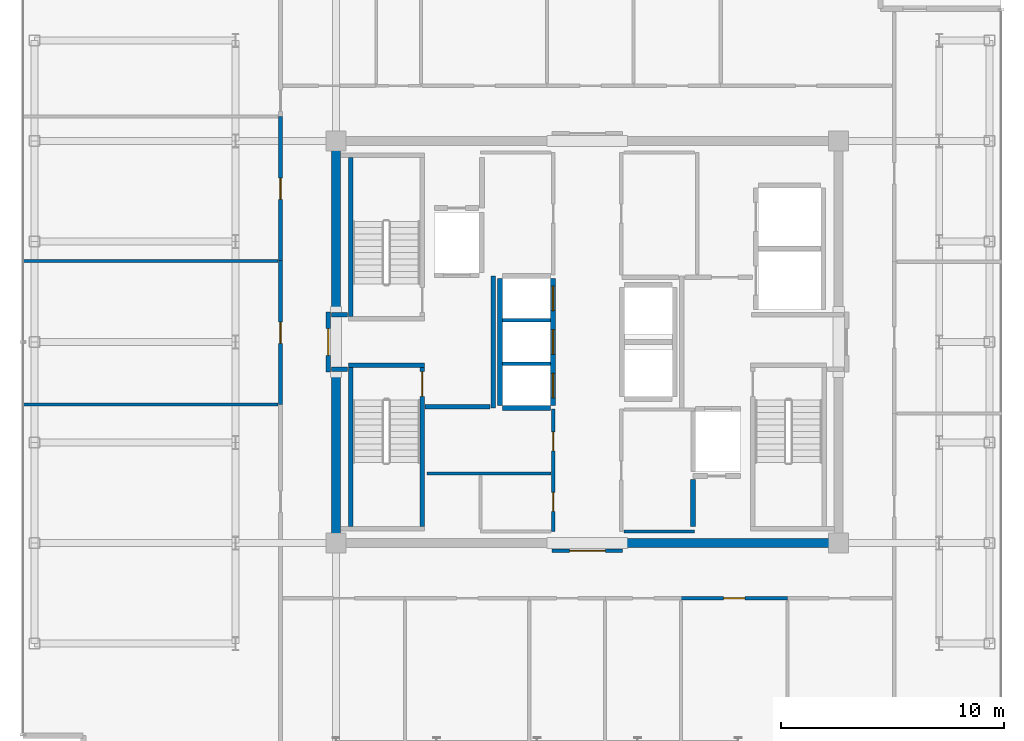
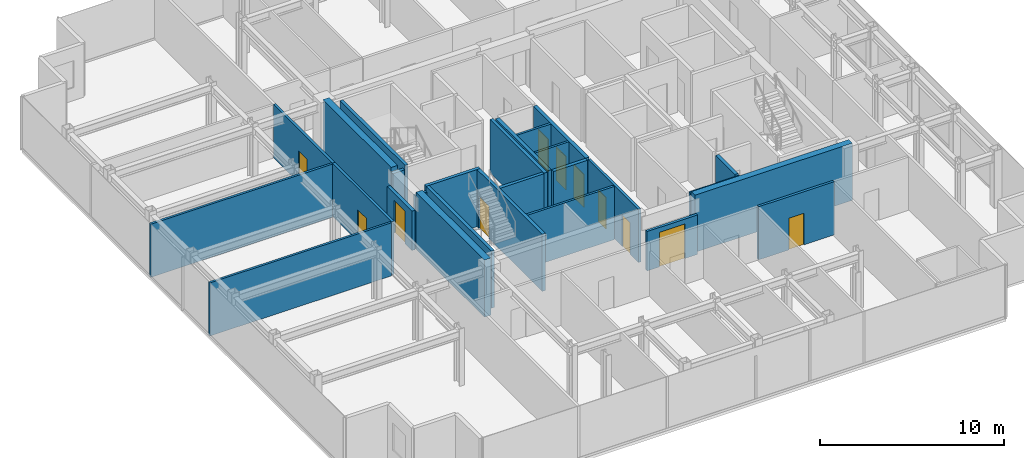
# One storey, part 12 of 17: 27 walls, 11 doors, 11 openings.
"""IFC4 building model written with IfcOpenShell, lengths in metres."""

from ifc_helpers import new_model, si_unit, direction, frame, frame_2d, origin, place, context, subcontext, project, spatial, rectangle, extrude, source, transform, mapped, material, layer, layer_set, type_object, element, fill, save


model = new_model("IFC4")

# Units and contexts
model_context = context("Model", 3, precision=1e-05, world=origin(), true_north=direction((0.0, 1.0)))
body_context = subcontext(model_context, "Body", "Model", "MODEL_VIEW")
ifc_project = project(units=[si_unit("LENGTHUNIT", "METRE"), si_unit("AREAUNIT", "SQUARE_METRE"), si_unit("VOLUMEUNIT", "CUBIC_METRE"), si_unit("PLANEANGLEUNIT", "RADIAN"), si_unit("MASSUNIT", "GRAM", prefix="KILO")], contexts=[model_context])

# Site, building, storey
site_placement = place(None, origin())
site = spatial("IfcSite", under=ifc_project, at=site_placement, CompositionType="ELEMENT")
building_placement = place(site_placement, origin())
building = spatial("IfcBuilding", under=site, at=building_placement, Name="Nefas-Gora Pilgrimage Tower", CompositionType="ELEMENT")
storey_placement = place(building_placement, frame((0.0, 0.0, 337.60009765625)))
storey = spatial("IfcBuildingStorey", under=building, at=storey_placement, Name="L85", CompositionType="ELEMENT", Elevation=337.60009765625)

# Walls
ifc_material_1 = material(Name="Concrete C50/60", Category="concrete")
ifc_layer_1 = layer(ifc_material_1, 0.39990234375)
ifc_layer_set_1 = layer_set([ifc_layer_1], Name="Concrete C50/60")
wall_type_1 = type_object("IfcWallType", Name="SW-CORE-400", PredefinedType="SHEAR", material=ifc_layer_set_1)
shared_shape_1 = source(origin(), body_context, "Body", "SweptSolid", [
    extrude(rectangle(XDim=9.89990234375, YDim=0.39990234375, at=frame_2d((4.949951171875, 0.0))), origin(), (0.0, 0.0, 1.0), 3.7998046875),
])
wall_1_placement = place(storey_placement, frame((1.550048828125, -9.0, 0.0), z_axis=(0.0, 0.0, 1.0), x_axis=(1.0, 0.0, 0.0)))
element("IfcWall", 1, at=wall_1_placement, inside=storey, type_object=wall_type_1, Name="L85 Core Shear Wall S-East", PredefinedType="SHEAR", context=body_context, shape_type="MappedRepresentation", body=[
    mapped(shared_shape_1, transform((0.0, 0.0, 0.0), x_axis=(1.0, 0.0, 0.0), y_axis=(0.0, 1.0, 0.0), z_axis=(0.0, 0.0, 1.0), scale=1.0)),
])
shared_shape_2 = source(origin(), body_context, "Body", "SweptSolid", [
    extrude(rectangle(XDim=7.449951171875, YDim=0.39990234375, at=frame_2d((3.72509765625, 0.0))), origin(), (0.0, 0.0, 1.0), 3.7998046875),
])
for number, where, z_axis, x_axis, name in (
    (2, (-11.25, -8.800048828125, 0.0), (0.0, 0.0, 1.0), (0.0, 1.0, 0.0), "L85 Core Shear Wall W-South"),
    (3, (-11.25, 1.35009765625, 0.0), (0.0, 0.0, 1.0), (0.0, 1.0, 0.0), "L85 Core Shear Wall W-North"),
):
    element("IfcWall", number, at=place(storey_placement, frame(where, z_axis=z_axis, x_axis=x_axis)), inside=storey, type_object=wall_type_1, Name=name, PredefinedType="SHEAR", context=body_context, shape_type="MappedRepresentation", body=[
        mapped(shared_shape_2, transform((0.0, 0.0, 0.0), x_axis=(1.0, 0.0, 0.0), y_axis=(0.0, 1.0, 0.0), z_axis=(0.0, 0.0, 1.0), scale=1.0)),
    ])
ifc_material_2 = material(Name="Concrete C45/55", Category="concrete")
ifc_layer_2 = layer(ifc_material_2, 0.199951171875)
ifc_layer_set_2 = layer_set([ifc_layer_2], Name="Concrete C45/55")
wall_type_2 = type_object("IfcWallType", Name="IW-STAIR-200", PredefinedType="SOLIDWALL", material=ifc_layer_set_2)
shared_shape_3 = source(origin(), body_context, "Body", "SweptSolid", [
    extrude(rectangle(XDim=3.39990234375, YDim=0.199951171875, at=frame_2d((1.699951171875, 0.0))), origin(), (0.0, 0.0, 1.0), 3.7998046875),
])
wall_2_placement = place(storey_placement, frame((-10.699951171875, -1.050048828125, 0.0), z_axis=(0.0, 0.0, 1.0), x_axis=(1.0, 0.0, 0.0)))
element("IfcWall", 4, at=wall_2_placement, inside=storey, type_object=wall_type_2, Name="L85 Stairwell Shear Wall ST-03-near", PredefinedType="SOLIDWALL", context=body_context, shape_type="MappedRepresentation", body=[
    mapped(shared_shape_3, transform((0.0, 0.0, 0.0), x_axis=(1.0, 0.0, 0.0), y_axis=(0.0, 1.0, 0.0), z_axis=(0.0, 0.0, 1.0), scale=1.0)),
])
shared_shape_4 = source(origin(), body_context, "Body", "SweptSolid", [
    extrude(rectangle(XDim=7.10009765625, YDim=0.199951171875, at=frame_2d((3.550048828125, 0.0))), origin(), (0.0, 0.0, 1.0), 3.7998046875),
])
for number, where, z_axis, x_axis, name in (
    (5, (-10.60009765625, 1.14990234375, 0.0), (0.0, 0.0, 1.0), (0.0, 1.0, 0.0), "L85 Stairwell Shear Wall ST-01-right"),
    (6, (-10.60009765625, -1.14990234375, 0.0), (0.0, 0.0, 1.0), (0.0, -1.0, 0.0), "L85 Stairwell Shear Wall ST-03-left"),
):
    element("IfcWall", number, at=place(storey_placement, frame(where, z_axis=z_axis, x_axis=x_axis)), inside=storey, type_object=wall_type_2, Name=name, PredefinedType="SOLIDWALL", context=body_context, shape_type="MappedRepresentation", body=[
        mapped(shared_shape_4, transform((0.0, 0.0, 0.0), x_axis=(1.0, 0.0, 0.0), y_axis=(0.0, 1.0, 0.0), z_axis=(0.0, 0.0, 1.0), scale=1.0)),
    ])

# Wall, opening, door
wall_3_placement = place(storey_placement, frame((-7.39990234375, -1.14990234375, 0.0), z_axis=(0.0, 0.0, 1.0), x_axis=(0.0, -1.0, 0.0)))
wall_3 = element("IfcWall", 7, at=wall_3_placement, inside=storey, type_object=wall_type_2, Name="L85 Stairwell Shear Wall ST-03-right", PredefinedType="SOLIDWALL", context=body_context, shape_type="MappedRepresentation", body=[
    mapped(shared_shape_4, transform((0.0, 0.0, 0.0), x_axis=(1.0, 0.0, 0.0), y_axis=(0.0, 1.0, 0.0), z_axis=(0.0, 0.0, 1.0), scale=1.0)),
])
opening_1_placement = place(wall_3_placement, frame((0.179931640625, 0.0, 0.0)))
opening_1 = element("IfcOpeningElement", 8, at=opening_1_placement, cuts=wall_3, Name="Opening ID-ST1", PredefinedType="OPENING", context=body_context, shape_type="SweptSolid", body=[
    extrude(rectangle(XDim=1.10009765625, YDim=2.14990234375, at=frame_2d((0.550048828125, 1.074951171875))), frame((0.0, 0.10986328125, 0.0), z_axis=(0.0, -1.0, 0.0), x_axis=(1.0, 0.0, 0.0)), (0.0, 0.0, 1.0), 0.219970703125),
])
ifc_material_3 = material(Name="Painted galvanised steel fire stair door", Category="steel")
door_type_1 = type_object("IfcDoorType", Name="DR-INT-STAIR-1100", OperationType="NOTDEFINED", PredefinedType="DOOR", material=ifc_material_3)
shared_shape_5 = source(origin(), body_context, "Body", "SweptSolid", [
    extrude(rectangle(XDim=1.10009765625, YDim=2.14990234375, at=frame_2d((0.550048828125, 1.074951171875))), frame((0.0, 0.02490234375, 0.0), z_axis=(0.0, -1.0, 0.0), x_axis=(1.0, 0.0, 0.0)), (0.0, 0.0, 1.0), 0.050048828125),
])
door_1_placement = place(opening_1_placement, origin())
door_1 = element("IfcDoor", 9, at=door_1_placement, inside=storey, type_object=door_type_1, Name="L85 Protected Exit Stair Door ST-03", OperationType="SINGLE_SWING_LEFT", OverallHeight=2.14990234375, OverallWidth=1.10009765625, PredefinedType="DOOR", context=body_context, shape_type="MappedRepresentation", body=[
    mapped(shared_shape_5, transform((0.0, 0.0, 0.0), x_axis=(1.0, 0.0, 0.0), y_axis=(0.0, 1.0, 0.0), z_axis=(0.0, 0.0, 1.0), scale=1.0)),
])
fill(opening_1, door_1)

# Wall, openings, doors
ifc_material_4 = material(Name="Concrete C40/50", Category="concrete")
ifc_layer_3 = layer(ifc_material_4, 0.219970703125)
ifc_layer_set_3 = layer_set([ifc_layer_3], Name="Concrete C40/50")
wall_type_3 = type_object("IfcWallType", Name="IW-SHAFT-220", PredefinedType="SOLIDWALL", material=ifc_layer_set_3)
shared_shape_6 = source(origin(), body_context, "Body", "SweptSolid", [
    extrude(rectangle(XDim=5.7001953125, YDim=0.219970703125, at=frame_2d((2.85009765625, 0.0))), origin(), (0.0, 0.0, 1.0), 3.534912109375),
])
wall_4_placement = place(storey_placement, frame((-1.5400390625, -2.85009765625, 0.0), z_axis=(0.0, 0.0, 1.0), x_axis=(0.0, 1.0, 0.0)))
wall_4 = element("IfcWall", 10, at=wall_4_placement, inside=storey, type_object=wall_type_3, Name="L85 Hoistway Wall PL3-01-03-E", PredefinedType="SOLIDWALL", context=body_context, shape_type="MappedRepresentation", body=[
    mapped(shared_shape_6, transform((0.0, 0.0, 0.0), x_axis=(1.0, 0.0, 0.0), y_axis=(0.0, 1.0, 0.0), z_axis=(0.0, 0.0, 1.0), scale=1.0)),
])
opening_2_placement = place(wall_4_placement, frame((0.35009765625, 0.0, 0.0)))
opening_2 = element("IfcOpeningElement", 11, at=opening_2_placement, cuts=wall_4, Name="Opening LD-01", PredefinedType="OPENING", context=body_context, shape_type="SweptSolid", body=[
    extrude(rectangle(XDim=1.10009765625, YDim=2.199951171875, at=frame_2d((0.550048828125, 1.10009765625))), frame((0.0, 0.119873046875, 0.0), z_axis=(0.0, -1.0, 0.0), x_axis=(1.0, 0.0, 0.0)), (0.0, 0.0, 1.0), 0.239990234375),
])
opening_3_placement = place(wall_4_placement, frame((2.300048828125, 0.0, 0.0)))
opening_3 = element("IfcOpeningElement", 12, at=opening_3_placement, cuts=wall_4, Name="Opening LD-01", PredefinedType="OPENING", context=body_context, shape_type="SweptSolid", body=[
    extrude(rectangle(XDim=1.10009765625, YDim=2.199951171875, at=frame_2d((0.550048828125, 1.10009765625))), frame((0.0, 0.119873046875, 0.0), z_axis=(0.0, -1.0, 0.0), x_axis=(1.0, 0.0, 0.0)), (0.0, 0.0, 1.0), 0.239990234375),
])
opening_4_placement = place(wall_4_placement, frame((4.25, 0.0, 0.0)))
opening_4 = element("IfcOpeningElement", 13, at=opening_4_placement, cuts=wall_4, Name="Opening LD-01", PredefinedType="OPENING", context=body_context, shape_type="SweptSolid", body=[
    extrude(rectangle(XDim=1.10009765625, YDim=2.199951171875, at=frame_2d((0.550048828125, 1.10009765625))), frame((0.0, 0.119873046875, 0.0), z_axis=(0.0, -1.0, 0.0), x_axis=(1.0, 0.0, 0.0)), (0.0, 0.0, 1.0), 0.239990234375),
])
ifc_material_5 = material(Name="Brushed stainless sliding lift landing door")
door_type_2 = type_object("IfcDoorType", Name="DR-LIFT-PASS-1100", OperationType="DOUBLE_DOOR_SLIDING", PredefinedType="DOOR", material=ifc_material_5)
shared_shape_7 = source(origin(), body_context, "Body", "SweptSolid", [
    extrude(rectangle(XDim=1.10009765625, YDim=2.199951171875, at=frame_2d((0.550048828125, 1.10009765625))), frame((0.0, 0.02490234375, 0.0), z_axis=(0.0, -1.0, 0.0), x_axis=(1.0, 0.0, 0.0)), (0.0, 0.0, 1.0), 0.050048828125),
])
door_2_placement = place(opening_2_placement, origin())
door_2 = element("IfcDoor", 14, at=door_2_placement, inside=storey, type_object=door_type_2, Name="L85 Sliding Lift Landing Door PL3-01", OperationType="DOUBLE_DOOR_SLIDING", OverallHeight=2.199951171875, OverallWidth=1.10009765625, PredefinedType="DOOR", context=body_context, shape_type="MappedRepresentation", body=[
    mapped(shared_shape_7, transform((0.0, 0.0, 0.0), x_axis=(1.0, 0.0, 0.0), y_axis=(0.0, 1.0, 0.0), z_axis=(0.0, 0.0, 1.0), scale=1.0)),
])
fill(opening_2, door_2)
door_3_placement = place(opening_3_placement, origin())
door_3 = element("IfcDoor", 15, at=door_3_placement, inside=storey, type_object=door_type_2, Name="L85 Sliding Lift Landing Door PL3-02", OperationType="DOUBLE_DOOR_SLIDING", OverallHeight=2.199951171875, OverallWidth=1.10009765625, PredefinedType="DOOR", context=body_context, shape_type="MappedRepresentation", body=[
    mapped(shared_shape_7, transform((0.0, 0.0, 0.0), x_axis=(1.0, 0.0, 0.0), y_axis=(0.0, 1.0, 0.0), z_axis=(0.0, 0.0, 1.0), scale=1.0)),
])
fill(opening_3, door_3)
door_4_placement = place(opening_4_placement, origin())
door_4 = element("IfcDoor", 16, at=door_4_placement, inside=storey, type_object=door_type_2, Name="L85 Sliding Lift Landing Door PL3-03", OperationType="DOUBLE_DOOR_SLIDING", OverallHeight=2.199951171875, OverallWidth=1.10009765625, PredefinedType="DOOR", context=body_context, shape_type="MappedRepresentation", body=[
    mapped(shared_shape_7, transform((0.0, 0.0, 0.0), x_axis=(1.0, 0.0, 0.0), y_axis=(0.0, 1.0, 0.0), z_axis=(0.0, 0.0, 1.0), scale=1.0)),
])
fill(opening_4, door_4)

# Walls
wall_5_placement = place(storey_placement, frame((-3.909912109375, 2.85009765625, 0.0), z_axis=(0.0, 0.0, 1.0), x_axis=(0.0, -1.0, 0.0)))
element("IfcWall", 17, at=wall_5_placement, inside=storey, type_object=wall_type_3, Name="L85 Hoistway Wall PL3-01-03-W", PredefinedType="SOLIDWALL", context=body_context, shape_type="MappedRepresentation", body=[
    mapped(shared_shape_6, transform((0.0, 0.0, 0.0), x_axis=(1.0, 0.0, 0.0), y_axis=(0.0, 1.0, 0.0), z_axis=(0.0, 0.0, 1.0), scale=1.0)),
])
shared_shape_8 = source(origin(), body_context, "Body", "SweptSolid", [
    extrude(rectangle(XDim=2.130126953125, YDim=0.219970703125, at=frame_2d((1.06494140625, 0.0))), origin(), (0.0, 0.0, 1.0), 3.534912109375),
])
wall_6_placement = place(storey_placement, frame((-3.7900390625, -2.9599609375, 0.0), z_axis=(0.0, 0.0, 1.0), x_axis=(1.0, 0.0, 0.0)))
element("IfcWall", 18, at=wall_6_placement, inside=storey, type_object=wall_type_3, Name="L85 Hoistway Wall PL3-01-S", PredefinedType="SOLIDWALL", context=body_context, shape_type="MappedRepresentation", body=[
    mapped(shared_shape_8, transform((0.0, 0.0, 0.0), x_axis=(1.0, 0.0, 0.0), y_axis=(0.0, 1.0, 0.0), z_axis=(0.0, 0.0, 1.0), scale=1.0)),
])
ifc_material_6 = material(Name="Gypsum twin-stud partition")
ifc_layer_4 = layer(ifc_material_6, 0.139892578125)
ifc_layer_set_4 = layer_set([ifc_layer_4], Name="Gypsum twin-stud partition")
wall_type_4 = type_object("IfcWallType", Name="IW-UNIT-140", PredefinedType="PARTITIONING", material=ifc_layer_set_4)
shared_shape_9 = source(origin(), body_context, "Body", "SweptSolid", [
    extrude(rectangle(XDim=2.130126953125, YDim=0.139892578125, at=frame_2d((1.06494140625, 0.0))), origin(), (0.0, 0.0, 1.0), 3.534912109375),
])
for number, where, z_axis, x_axis, name in (
    (19, (-3.7900390625, -0.97509765625, 0.0), (0.0, 0.0, 1.0), (1.0, 0.0, 0.0), "L85 Hoistway Wall PL3-01-02-DIV"),
    (20, (-3.7900390625, 0.97509765625, 0.0), (0.0, 0.0, 1.0), (1.0, 0.0, 0.0), "L85 Hoistway Wall PL3-02-03-DIV"),
):
    element("IfcWall", number, at=place(storey_placement, frame(where, z_axis=z_axis, x_axis=x_axis)), inside=storey, type_object=wall_type_4, Name=name, PredefinedType="PARTITIONING", context=body_context, shape_type="MappedRepresentation", body=[
        mapped(shared_shape_9, transform((0.0, 0.0, 0.0), x_axis=(1.0, 0.0, 0.0), y_axis=(0.0, 1.0, 0.0), z_axis=(0.0, 0.0, 1.0), scale=1.0)),
    ])
ifc_material_7 = material(Name="Gypsum fire-rated shaftwall")
ifc_layer_5 = layer(ifc_material_7, 0.199951171875)
ifc_layer_set_5 = layer_set([ifc_layer_5], Name="Gypsum fire-rated shaftwall")
wall_type_5 = type_object("IfcWallType", Name="IW-FFLOB-200", PredefinedType="PARTITIONING", material=ifc_layer_set_5)
shared_shape_10 = source(origin(), body_context, "Body", "SweptSolid", [
    extrude(rectangle(XDim=5.89990234375, YDim=0.199951171875, at=frame_2d((2.949951171875, 0.0))), origin(), (0.0, 0.0, 1.0), 3.534912109375),
])
wall_7_placement = place(storey_placement, frame((-4.219970703125, -2.949951171875, 0.0), z_axis=(0.0, 0.0, 1.0), x_axis=(0.0, 1.0, 0.0)))
element("IfcWall", 21, at=wall_7_placement, inside=storey, type_object=wall_type_5, Name="L85 FF Lobby West Inner Wall Wall 6", PredefinedType="PARTITIONING", context=body_context, shape_type="MappedRepresentation", body=[
    mapped(shared_shape_10, transform((0.0, 0.0, 0.0), x_axis=(1.0, 0.0, 0.0), y_axis=(0.0, 1.0, 0.0), z_axis=(0.0, 0.0, 1.0), scale=1.0)),
])
shared_shape_11 = source(origin(), body_context, "Body", "SweptSolid", [
    extrude(rectangle(XDim=2.89990234375, YDim=0.199951171875, at=frame_2d((1.449951171875, 0.0))), origin(), (0.0, 0.0, 1.0), 3.534912109375),
])
wall_8_placement = place(storey_placement, frame((-7.260009765625, -2.89990234375, 0.0), z_axis=(0.0, 0.0, 1.0), x_axis=(1.0, 0.0, 0.0)))
element("IfcWall", 22, at=wall_8_placement, inside=storey, type_object=wall_type_5, Name="L85 FF Lobby West South Wall Wall 7", PredefinedType="PARTITIONING", context=body_context, shape_type="MappedRepresentation", body=[
    mapped(shared_shape_11, transform((0.0, 0.0, 0.0), x_axis=(1.0, 0.0, 0.0), y_axis=(0.0, 1.0, 0.0), z_axis=(0.0, 0.0, 1.0), scale=1.0)),
])
shared_shape_12 = source(origin(), body_context, "Body", "SweptSolid", [
    extrude(rectangle(XDim=0.719970703125, YDim=0.199951171875, at=frame_2d((0.35986328125, 0.0))), origin(), (0.0, 0.0, 1.0), 3.534912109375),
])
for number, where, z_axis, x_axis, name in (
    (23, (-11.4599609375, 1.219970703125, 0.0), (0.0, 0.0, 1.0), (1.0, 0.0, 0.0), "L85 FF Lobby West Throat N Wall 8"),
    (24, (-11.4599609375, -1.219970703125, 0.0), (0.0, 0.0, 1.0), (1.0, 0.0, 0.0), "L85 FF Lobby West Throat S Wall 9"),
):
    element("IfcWall", number, at=place(storey_placement, frame(where, z_axis=z_axis, x_axis=x_axis)), inside=storey, type_object=wall_type_5, Name=name, PredefinedType="PARTITIONING", context=body_context, shape_type="MappedRepresentation", body=[
        mapped(shared_shape_12, transform((0.0, 0.0, 0.0), x_axis=(1.0, 0.0, 0.0), y_axis=(0.0, 1.0, 0.0), z_axis=(0.0, 0.0, 1.0), scale=1.0)),
    ])
shared_shape_13 = source(origin(), body_context, "Body", "SweptSolid", [
    extrude(rectangle(XDim=3.150146484375, YDim=0.139892578125, at=frame_2d((1.5751953125, 0.0))), origin(), (0.0, 0.0, 1.0), 3.534912109375),
])
wall_9_placement = place(storey_placement, frame((1.639892578125, -8.47998046875, 0.0), z_axis=(0.0, 0.0, 1.0), x_axis=(1.0, 0.0, 0.0)))
element("IfcWall", 25, at=wall_9_placement, inside=storey, type_object=wall_type_4, Name="L85 Freed Bank-2 East Linen Store Partition Wall 33", PredefinedType="PARTITIONING", context=body_context, shape_type="MappedRepresentation", body=[
    mapped(shared_shape_13, transform((0.0, 0.0, 0.0), x_axis=(1.0, 0.0, 0.0), y_axis=(0.0, 1.0, 0.0), z_axis=(0.0, 0.0, 1.0), scale=1.0)),
])

# Wall, opening, door
ifc_material_8 = material(Name="Gypsum acoustic stud partition")
ifc_layer_6 = layer(ifc_material_8, 0.159912109375)
ifc_layer_set_6 = layer_set([ifc_layer_6], Name="Gypsum acoustic stud partition")
wall_type_6 = type_object("IfcWallType", Name="IW-CORR-160", PredefinedType="PARTITIONING", material=ifc_layer_set_6)
shared_shape_14 = source(origin(), body_context, "Body", "SweptSolid", [
    extrude(rectangle(XDim=4.764892578125, YDim=0.159912109375, at=frame_2d((2.38232421875, 0.0))), origin(), (0.0, 0.0, 1.0), 3.534912109375),
])
wall_10_placement = place(storey_placement, frame((4.195068359375, -11.469970703125, 0.0), z_axis=(0.0, 0.0, 1.0), x_axis=(1.0, 0.0, 0.0)))
wall_10 = element("IfcWall", 26, at=wall_10_placement, inside=storey, type_object=wall_type_6, Name="L85 Pilgrim Contemplative Lounge Partition Wall 65", PredefinedType="PARTITIONING", context=body_context, shape_type="MappedRepresentation", body=[
    mapped(shared_shape_14, transform((0.0, 0.0, 0.0), x_axis=(1.0, 0.0, 0.0), y_axis=(0.0, 1.0, 0.0), z_axis=(0.0, 0.0, 1.0), scale=1.0)),
])
opening_5_placement = place(wall_10_placement, frame((1.907470703125, 0.0, 0.0)))
opening_5 = element("IfcOpeningElement", 27, at=opening_5_placement, cuts=wall_10, Name="Opening ID-GR1", PredefinedType="OPENING", context=body_context, shape_type="SweptSolid", body=[
    extrude(rectangle(XDim=0.949951171875, YDim=2.10009765625, at=frame_2d((0.47509765625, 1.050048828125))), frame((0.0, 0.08984375, 0.0), z_axis=(0.0, -1.0, 0.0), x_axis=(1.0, 0.0, 0.0)), (0.0, 0.0, 1.0), 0.179931640625),
])
ifc_material_9 = material(Name="Solid core oak fire-rated guest entrance door")
door_type_3 = type_object("IfcDoorType", Name="DR-INT-GUEST-950", OperationType="NOTDEFINED", PredefinedType="DOOR", material=ifc_material_9)
shared_shape_15 = source(origin(), body_context, "Body", "SweptSolid", [
    extrude(rectangle(XDim=0.949951171875, YDim=2.10009765625, at=frame_2d((0.47509765625, 1.050048828125))), frame((0.0, 0.02490234375, 0.0), z_axis=(0.0, -1.0, 0.0), x_axis=(1.0, 0.0, 0.0)), (0.0, 0.0, 1.0), 0.050048828125),
])
door_5_placement = place(opening_5_placement, origin())
door_5 = element("IfcDoor", 28, at=door_5_placement, inside=storey, type_object=door_type_3, Name="L85 Pilgrim Contemplative Lounge Door 31", OperationType="SINGLE_SWING_LEFT", OverallHeight=2.10009765625, OverallWidth=0.949951171875, PredefinedType="DOOR", context=body_context, shape_type="MappedRepresentation", body=[
    mapped(shared_shape_15, transform((0.0, 0.0, 0.0), x_axis=(1.0, 0.0, 0.0), y_axis=(0.0, 1.0, 0.0), z_axis=(0.0, 0.0, 1.0), scale=1.0)),
])
fill(opening_5, door_5)

# Walls
shared_shape_16 = source(origin(), body_context, "Body", "SweptSolid", [
    extrude(rectangle(XDim=11.429931640625, YDim=0.139892578125, at=frame_2d((5.71484375, 0.0))), origin(), (0.0, 0.0, 1.0), 3.534912109375),
])
for number, where, z_axis, x_axis, name in (
    (29, (-25.2900390625, -2.804931640625, 0.0), (0.0, 0.0, 1.0), (1.0, 0.0, 0.0), "L85 Pilgrim Floor Concierge Foyer Partition Wall 38"),
    (30, (-25.2900390625, 3.63134765625, 0.0), (0.0, 0.0, 1.0), (1.0, 0.0, 0.0), "L85 Pilgrim Floor Concierge Foyer Partition Wall 42"),
):
    element("IfcWall", number, at=place(storey_placement, frame(where, z_axis=z_axis, x_axis=x_axis)), inside=storey, type_object=wall_type_4, Name=name, PredefinedType="PARTITIONING", context=body_context, shape_type="MappedRepresentation", body=[
        mapped(shared_shape_16, transform((0.0, 0.0, 0.0), x_axis=(1.0, 0.0, 0.0), y_axis=(0.0, 1.0, 0.0), z_axis=(0.0, 0.0, 1.0), scale=1.0)),
    ])

# Wall, openings, doors
shared_shape_17 = source(origin(), body_context, "Body", "SweptSolid", [
    extrude(rectangle(XDim=5.47998046875, YDim=0.159912109375, at=frame_2d((2.739990234375, 0.0))), origin(), (0.0, 0.0, 1.0), 3.534912109375),
])
wall_11_placement = place(storey_placement, frame((-1.52001953125, -8.489990234375, 0.0), z_axis=(0.0, 0.0, 1.0), x_axis=(0.0, 1.0, 0.0)))
wall_11 = element("IfcWall", 31, at=wall_11_placement, inside=storey, type_object=wall_type_6, Name="L85 Pilgrim Baggage and Gear Vault Wall 25", PredefinedType="PARTITIONING", context=body_context, shape_type="MappedRepresentation", body=[
    mapped(shared_shape_17, transform((0.0, 0.0, 0.0), x_axis=(1.0, 0.0, 0.0), y_axis=(0.0, 1.0, 0.0), z_axis=(0.0, 0.0, 1.0), scale=1.0)),
])
opening_6_placement = place(wall_11_placement, frame((0.907470703125, 0.0, 0.0)))
opening_6 = element("IfcOpeningElement", 32, at=opening_6_placement, cuts=wall_11, Name="Opening ID-BT1", PredefinedType="OPENING", context=body_context, shape_type="SweptSolid", body=[
    extrude(rectangle(XDim=0.85009765625, YDim=2.10009765625, at=frame_2d((0.425048828125, 1.050048828125))), frame((0.0, 0.08984375, 0.0), z_axis=(0.0, -1.0, 0.0), x_axis=(1.0, 0.0, 0.0)), (0.0, 0.0, 1.0), 0.179931640625),
])
opening_7_placement = place(wall_11_placement, frame((3.614990234375, 0.0, 0.0)))
opening_7 = element("IfcOpeningElement", 33, at=opening_7_placement, cuts=wall_11, Name="Opening ID-BT1", PredefinedType="OPENING", context=body_context, shape_type="SweptSolid", body=[
    extrude(rectangle(XDim=0.85009765625, YDim=2.10009765625, at=frame_2d((0.425048828125, 1.050048828125))), frame((0.0, 0.08984375, 0.0), z_axis=(0.0, -1.0, 0.0), x_axis=(1.0, 0.0, 0.0)), (0.0, 0.0, 1.0), 0.179931640625),
])
ifc_material_10 = material(Name="Moisture-resistant fire-rated timber door", Category="wood")
door_type_4 = type_object("IfcDoorType", Name="DR-INT-BATH-850", OperationType="NOTDEFINED", PredefinedType="DOOR", material=ifc_material_10)
shared_shape_18 = source(origin(), body_context, "Body", "SweptSolid", [
    extrude(rectangle(XDim=0.85009765625, YDim=2.10009765625, at=frame_2d((0.425048828125, 1.050048828125))), frame((0.0, 0.02490234375, 0.0), z_axis=(0.0, -1.0, 0.0), x_axis=(1.0, 0.0, 0.0)), (0.0, 0.0, 1.0), 0.050048828125),
])
door_6_placement = place(opening_6_placement, origin())
door_6 = element("IfcDoor", 34, at=door_6_placement, inside=storey, type_object=door_type_4, Name="L85 Freed Bank-2 West Supply Vault Door 10", OperationType="SINGLE_SWING_RIGHT", OverallHeight=2.10009765625, OverallWidth=0.85009765625, PredefinedType="DOOR", context=body_context, shape_type="MappedRepresentation", body=[
    mapped(shared_shape_18, transform((0.0, 0.0, 0.0), x_axis=(1.0, 0.0, 0.0), y_axis=(0.0, 1.0, 0.0), z_axis=(0.0, 0.0, 1.0), scale=1.0)),
])
fill(opening_6, door_6)
door_7_placement = place(opening_7_placement, origin())
door_7 = element("IfcDoor", 35, at=door_7_placement, inside=storey, type_object=door_type_4, Name="L85 Pilgrim Baggage and Gear Vault Door 11", OperationType="SINGLE_SWING_LEFT", OverallHeight=2.10009765625, OverallWidth=0.85009765625, PredefinedType="DOOR", context=body_context, shape_type="MappedRepresentation", body=[
    mapped(shared_shape_18, transform((0.0, 0.0, 0.0), x_axis=(1.0, 0.0, 0.0), y_axis=(0.0, 1.0, 0.0), z_axis=(0.0, 0.0, 1.0), scale=1.0)),
])
fill(opening_7, door_7)

# Wall, opening, door
shared_shape_19 = source(origin(), body_context, "Body", "SweptSolid", [
    extrude(rectangle(XDim=2.7001953125, YDim=0.199951171875, at=frame_2d((1.35009765625, 0.0))), origin(), (0.0, 0.0, 1.0), 2.625),
])
wall_12_placement = place(storey_placement, frame((-11.60009765625, -1.35009765625, 0.0), z_axis=(0.0, 0.0, 1.0), x_axis=(0.0, 1.0, 0.0)))
wall_12 = element("IfcWall", 36, at=wall_12_placement, inside=storey, type_object=wall_type_5, Name="L85 FF Lobby West Portal Wall 5", PredefinedType="PARTITIONING", context=body_context, shape_type="MappedRepresentation", body=[
    mapped(shared_shape_19, transform((0.0, 0.0, 0.0), x_axis=(1.0, 0.0, 0.0), y_axis=(0.0, 1.0, 0.0), z_axis=(0.0, 0.0, 1.0), scale=1.0)),
])
opening_8_placement = place(wall_12_placement, frame((0.75, 0.0, 0.0)))
opening_8 = element("IfcOpeningElement", 37, at=opening_8_placement, cuts=wall_12, Name="Opening ID-FF1", PredefinedType="OPENING", context=body_context, shape_type="SweptSolid", body=[
    extrude(rectangle(XDim=1.199951171875, YDim=2.14990234375, at=frame_2d((0.60009765625, 1.074951171875))), frame((0.0, 0.10986328125, 0.0), z_axis=(0.0, -1.0, 0.0), x_axis=(1.0, 0.0, 0.0)), (0.0, 0.0, 1.0), 0.219970703125),
])
ifc_material_11 = material(Name="Smoke-sealed steel firefighting lobby door", Category="steel")
door_type_5 = type_object("IfcDoorType", Name="DR-INT-FFLOB-1200", OperationType="NOTDEFINED", PredefinedType="DOOR", material=ifc_material_11)
shared_shape_20 = source(origin(), body_context, "Body", "SweptSolid", [
    extrude(rectangle(XDim=1.199951171875, YDim=2.14990234375, at=frame_2d((0.60009765625, 1.074951171875))), frame((0.0, 0.02490234375, 0.0), z_axis=(0.0, -1.0, 0.0), x_axis=(1.0, 0.0, 0.0)), (0.0, 0.0, 1.0), 0.050048828125),
])
door_8_placement = place(opening_8_placement, origin())
door_8 = element("IfcDoor", 38, at=door_8_placement, inside=storey, type_object=door_type_5, Name="L85 FF Lobby West Portal Door 3", OperationType="SINGLE_SWING_LEFT", OverallHeight=2.14990234375, OverallWidth=1.199951171875, PredefinedType="DOOR", context=body_context, shape_type="MappedRepresentation", body=[
    mapped(shared_shape_20, transform((0.0, 0.0, 0.0), x_axis=(1.0, 0.0, 0.0), y_axis=(0.0, 1.0, 0.0), z_axis=(0.0, 0.0, 1.0), scale=1.0)),
])
fill(opening_8, door_8)

shared_shape_21 = source(origin(), body_context, "Body", "SweptSolid", [
    extrude(rectangle(XDim=3.16015625, YDim=0.159912109375, at=frame_2d((1.580078125, 0.0))), origin(), (0.0, 0.0, 1.0), 2.625),
])
wall_13_placement = place(storey_placement, frame((-1.580078125, -9.35009765625, 0.0), z_axis=(0.0, 0.0, 1.0), x_axis=(1.0, 0.0, 0.0)))
wall_13 = element("IfcWall", 39, at=wall_13_placement, inside=storey, type_object=wall_type_6, Name="L85 Central Lift Lobby South Portal Wall 17", PredefinedType="PARTITIONING", context=body_context, shape_type="MappedRepresentation", body=[
    mapped(shared_shape_21, transform((0.0, 0.0, 0.0), x_axis=(1.0, 0.0, 0.0), y_axis=(0.0, 1.0, 0.0), z_axis=(0.0, 0.0, 1.0), scale=1.0)),
])
opening_9_placement = place(wall_13_placement, frame((0.780029296875, 0.0, 0.0)))
opening_9 = element("IfcOpeningElement", 40, at=opening_9_placement, cuts=wall_13, Name="Opening ID-HL1", PredefinedType="OPENING", context=body_context, shape_type="SweptSolid", body=[
    extrude(rectangle(XDim=1.60009765625, YDim=2.300048828125, at=frame_2d((0.800048828125, 1.14990234375))), frame((0.0, 0.08984375, 0.0), z_axis=(0.0, -1.0, 0.0), x_axis=(1.0, 0.0, 0.0)), (0.0, 0.0, 1.0), 0.179931640625),
])
ifc_material_12 = material(Name="Double acoustic timber assembly hall door", Category="wood")
door_type_6 = type_object("IfcDoorType", Name="DR-INT-HALL-1600", OperationType="DOUBLE_DOOR_SINGLE_SWING", PredefinedType="DOOR", material=ifc_material_12)
shared_shape_22 = source(origin(), body_context, "Body", "SweptSolid", [
    extrude(rectangle(XDim=1.60009765625, YDim=2.300048828125, at=frame_2d((0.800048828125, 1.14990234375))), frame((0.0, 0.02490234375, 0.0), z_axis=(0.0, -1.0, 0.0), x_axis=(1.0, 0.0, 0.0)), (0.0, 0.0, 1.0), 0.050048828125),
])
door_9_placement = place(opening_9_placement, origin())
door_9 = element("IfcDoor", 41, at=door_9_placement, inside=storey, type_object=door_type_6, Name="L85 Central Lift Lobby South Portal Door 7", OperationType="DOUBLE_DOOR_SINGLE_SWING", OverallHeight=2.300048828125, OverallWidth=1.60009765625, PredefinedType="DOOR", context=body_context, shape_type="MappedRepresentation", body=[
    mapped(shared_shape_22, transform((0.0, 0.0, 0.0), x_axis=(1.0, 0.0, 0.0), y_axis=(0.0, 1.0, 0.0), z_axis=(0.0, 0.0, 1.0), scale=1.0)),
])
fill(opening_9, door_9)

shared_shape_23 = source(origin(), body_context, "Body", "SweptSolid", [
    extrude(rectangle(XDim=6.4462890625, YDim=0.159912109375, at=frame_2d((3.22314453125, 0.0))), origin(), (0.0, 0.0, 1.0), 3.534912109375),
])
wall_14_placement = place(storey_placement, frame((-13.739990234375, -2.804931640625, 0.0), z_axis=(0.0, 0.0, 1.0), x_axis=(0.0, 1.0, 0.0)))
wall_14 = element("IfcWall", 42, at=wall_14_placement, inside=storey, type_object=wall_type_6, Name="L85 Pilgrim Floor Concierge Foyer Partition Wall 41", PredefinedType="PARTITIONING", context=body_context, shape_type="MappedRepresentation", body=[
    mapped(shared_shape_23, transform((0.0, 0.0, 0.0), x_axis=(1.0, 0.0, 0.0), y_axis=(0.0, 1.0, 0.0), z_axis=(0.0, 0.0, 1.0), scale=1.0)),
])
opening_10_placement = place(wall_14_placement, frame((2.748291015625, 0.0, 0.0)))
opening_10 = element("IfcOpeningElement", 43, at=opening_10_placement, cuts=wall_14, Name="Opening ID-GR1", PredefinedType="OPENING", context=body_context, shape_type="SweptSolid", body=[
    extrude(rectangle(XDim=0.949951171875, YDim=2.10009765625, at=frame_2d((0.47509765625, 1.050048828125))), frame((0.0, 0.08984375, 0.0), z_axis=(0.0, -1.0, 0.0), x_axis=(1.0, 0.0, 0.0)), (0.0, 0.0, 1.0), 0.179931640625),
])
door_10_placement = place(opening_10_placement, origin())
door_10 = element("IfcDoor", 44, at=door_10_placement, inside=storey, type_object=door_type_3, Name="L85 Pilgrim Floor Concierge Foyer Door 17", OperationType="SINGLE_SWING_LEFT", OverallHeight=2.10009765625, OverallWidth=0.949951171875, PredefinedType="DOOR", context=body_context, shape_type="MappedRepresentation", body=[
    mapped(shared_shape_15, transform((0.0, 0.0, 0.0), x_axis=(1.0, 0.0, 0.0), y_axis=(0.0, 1.0, 0.0), z_axis=(0.0, 0.0, 1.0), scale=1.0)),
])
fill(opening_10, door_10)

shared_shape_24 = source(origin(), body_context, "Body", "SweptSolid", [
    extrude(rectangle(XDim=6.446044921875, YDim=0.159912109375, at=frame_2d((3.22314453125, 0.0))), origin(), (0.0, 0.0, 1.0), 3.534912109375),
])
wall_15_placement = place(storey_placement, frame((-13.739990234375, 3.641357421875, 0.0), z_axis=(0.0, 0.0, 1.0), x_axis=(0.0, 1.0, 0.0)))
wall_15 = element("IfcWall", 45, at=wall_15_placement, inside=storey, type_object=wall_type_6, Name="L85 Pilgrim Tea and Beverage Pantry Partition Wall 43", PredefinedType="PARTITIONING", context=body_context, shape_type="MappedRepresentation", body=[
    mapped(shared_shape_24, transform((0.0, 0.0, 0.0), x_axis=(1.0, 0.0, 0.0), y_axis=(0.0, 1.0, 0.0), z_axis=(0.0, 0.0, 1.0), scale=1.0)),
])
opening_11_placement = place(wall_15_placement, frame((2.748046875, 0.0, 0.0)))
opening_11 = element("IfcOpeningElement", 46, at=opening_11_placement, cuts=wall_15, Name="Opening ID-GR1", PredefinedType="OPENING", context=body_context, shape_type="SweptSolid", body=[
    extrude(rectangle(XDim=0.949951171875, YDim=2.10009765625, at=frame_2d((0.47509765625, 1.050048828125))), frame((0.0, 0.08984375, 0.0), z_axis=(0.0, -1.0, 0.0), x_axis=(1.0, 0.0, 0.0)), (0.0, 0.0, 1.0), 0.179931640625),
])
door_11_placement = place(opening_11_placement, origin())
door_11 = element("IfcDoor", 47, at=door_11_placement, inside=storey, type_object=door_type_3, Name="L85 Pilgrim Tea and Beverage Pantry Door 18", OperationType="SINGLE_SWING_RIGHT", OverallHeight=2.10009765625, OverallWidth=0.949951171875, PredefinedType="DOOR", context=body_context, shape_type="MappedRepresentation", body=[
    mapped(shared_shape_15, transform((0.0, 0.0, 0.0), x_axis=(1.0, 0.0, 0.0), y_axis=(0.0, 1.0, 0.0), z_axis=(0.0, 0.0, 1.0), scale=1.0)),
])
fill(opening_11, door_11)

# Walls
shared_shape_25 = source(origin(), body_context, "Body", "SweptSolid", [
    extrude(rectangle(XDim=2.10009765625, YDim=0.219970703125, at=frame_2d((1.050048828125, 0.0))), origin(), (0.0, 0.0, 1.0), 3.534912109375),
])
wall_16_placement = place(storey_placement, frame((4.719970703125, -8.25, 0.0), z_axis=(0.0, 0.0, 1.0), x_axis=(0.0, 1.0, 0.0)))
element("IfcWall", 48, at=wall_16_placement, inside=storey, type_object=wall_type_3, Name="L85 Riser Shaft Wall 4", PredefinedType="SOLIDWALL", context=body_context, shape_type="MappedRepresentation", body=[
    mapped(shared_shape_25, transform((0.0, 0.0, 0.0), x_axis=(1.0, 0.0, 0.0), y_axis=(0.0, 1.0, 0.0), z_axis=(0.0, 0.0, 1.0), scale=1.0)),
])
shared_shape_26 = source(origin(), body_context, "Body", "SweptSolid", [
    extrude(rectangle(XDim=5.550048828125, YDim=0.139892578125, at=frame_2d((2.77490234375, 0.0))), origin(), (0.0, 0.0, 1.0), 3.534912109375),
])
wall_17_placement = place(storey_placement, frame((-7.18994140625, -5.8798828125, 0.0), z_axis=(0.0, 0.0, 1.0), x_axis=(1.0, 0.0, 0.0)))
element("IfcWall", 49, at=wall_17_placement, inside=storey, type_object=wall_type_4, Name="L85 Pilgrim Baggage and Gear Vault Partition Wall 26", PredefinedType="PARTITIONING", context=body_context, shape_type="MappedRepresentation", body=[
    mapped(shared_shape_26, transform((0.0, 0.0, 0.0), x_axis=(1.0, 0.0, 0.0), y_axis=(0.0, 1.0, 0.0), z_axis=(0.0, 0.0, 1.0), scale=1.0)),
])

save(model, "model.ifc")
